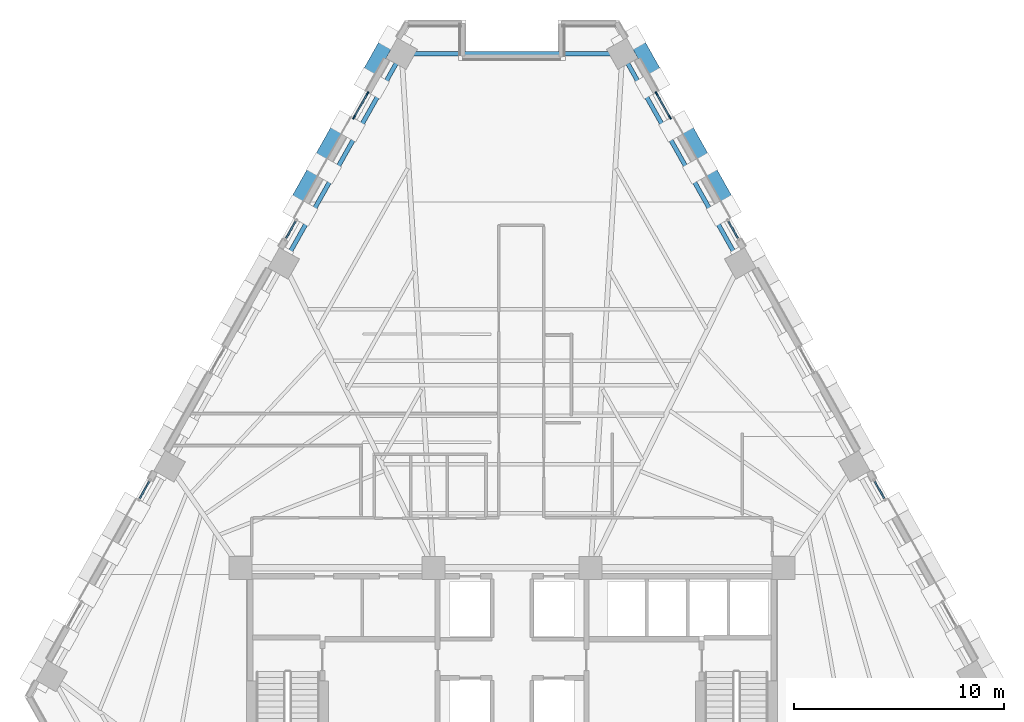
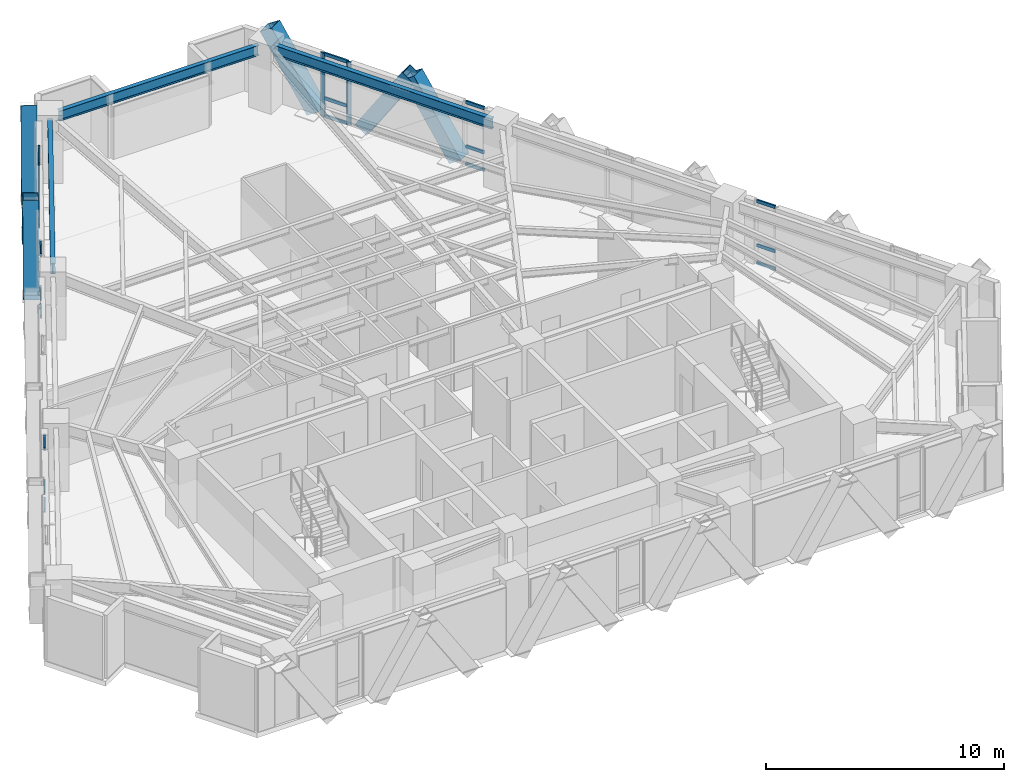
# One storey, part 5 of 13: 28 members, 3 beams, 6 elements without a shape of their own.
"""IFC4 building model written with IfcOpenShell, lengths in metres."""

import ifcopenshell
import ifcopenshell.guid

model = None  # the IFC model being written
_history = None  # IfcOwnerHistory: only IFC2X3 demands one
_inside = {}  # id of a spatial element -> (the spatial element, [elements in it])
_under = {}  # id of a project, library or spatial element -> (it, [spatial elements below it])
_declared = {}  # id of a project -> (the project, [libraries it declares])
_typed = {}  # id of a type object -> (the type object, [elements of that type])
_made_of = {}  # id of a material, layer set ... -> (it, [elements and type objects made of it])


def new_model(schema):
    """Start an empty IFC model of exactly this schema.

    Asked for "IFC4X3", IfcOpenShell would pick the latest addendum, in which some entities
    have other attributes; the version numbers below select the first issue.
    IFC2X3 requires an IfcOwnerHistory on every rooted entity: one is made here for all.
    """
    global model, _history
    if schema == "IFC4X3":
        model = ifcopenshell.file(schema_version=(4, 3, 0, 0))
    else:
        model = ifcopenshell.file(schema=schema)
    _inside.clear()
    _under.clear()
    _declared.clear()
    _typed.clear()
    _made_of.clear()
    _history = None
    if model.schema == "IFC2X3":
        org = make("IfcOrganization", Name="unknown")
        user = make(
            "IfcPersonAndOrganization",
            ThePerson=make("IfcPerson", FamilyName="unknown"),
            TheOrganization=org,
        )
        app = make(
            "IfcApplication",
            ApplicationDeveloper=org,
            Version="unknown",
            ApplicationFullName="unknown",
            ApplicationIdentifier="unknown",
        )
        _history = make(
            "IfcOwnerHistory",
            OwningUser=user,
            OwningApplication=app,
            ChangeAction="ADDED",
            CreationDate=0,
        )
    return model


def make(cls, **values):
    """One entity of the class cls with the attributes given. An attribute that is None is left unset."""
    return model.create_entity(
        cls, **{name: value for name, value in values.items() if value is not None}
    )


def rooted(cls, **values):
    """An entity with a GlobalId (a new one), such as an element, a storey or a relation."""
    return make(cls, GlobalId=ifcopenshell.guid.new(), OwnerHistory=_history, **values)


def si_unit(unit_type, name, prefix=None):
    """IfcSIUnit, for example si_unit("LENGTHUNIT", "METRE", prefix="MILLI")."""
    return make("IfcSIUnit", UnitType=unit_type, Prefix=prefix, Name=name)


def assignment(units):
    """IfcUnitAssignment: the units of a project."""
    return None if units is None else make("IfcUnitAssignment", Units=units)


def point(xyz):
    """IfcCartesianPoint."""
    return None if xyz is None else make("IfcCartesianPoint", Coordinates=xyz)


def direction(xyz):
    """IfcDirection."""
    return None if xyz is None else make("IfcDirection", DirectionRatios=xyz)


def frame(location, z_axis=None, x_axis=None):
    """IfcAxis2Placement3D, a coordinate frame: its origin and axes. An axis left out is left unset."""
    return make(
        "IfcAxis2Placement3D",
        Location=point(location),
        Axis=direction(z_axis),
        RefDirection=direction(x_axis),
    )


def frame_2d(location, x_axis=None):
    """IfcAxis2Placement2D, a coordinate frame in the plane: its origin and x axis."""
    return make(
        "IfcAxis2Placement2D", Location=point(location), RefDirection=direction(x_axis)
    )


def origin():
    """The frame at (0, 0, 0) with its axes left unset."""
    return frame((0.0, 0.0, 0.0))


def origin_2d():
    """The frame at (0, 0) in the plane with its x axis left unset."""
    return frame_2d((0.0, 0.0))


def place(relative_to, where):
    """IfcLocalPlacement: puts the frame where relative to a parent placement (None: the world)."""
    return make(
        "IfcLocalPlacement", PlacementRelTo=relative_to, RelativePlacement=where
    )


def context(
    kind, dimensions, precision=None, world=None, true_north=None, identifier=None
):
    """IfcGeometricRepresentationContext, for example the 3D "Model" context."""
    return make(
        "IfcGeometricRepresentationContext",
        ContextIdentifier=identifier,
        ContextType=kind,
        CoordinateSpaceDimension=dimensions,
        Precision=precision,
        WorldCoordinateSystem=world,
        TrueNorth=true_north,
    )


def subcontext(parent, identifier, kind, view, scale=None):
    """IfcGeometricRepresentationSubContext, for example "Body" below "Model"."""
    return make(
        "IfcGeometricRepresentationSubContext",
        ContextIdentifier=identifier,
        ContextType=kind,
        ParentContext=parent,
        TargetScale=scale,
        TargetView=view,
    )


def project(units=None, contexts=None):
    """IfcProject with its units and contexts."""
    return rooted(
        "IfcProject",
        Name="project",
        RepresentationContexts=contexts,
        UnitsInContext=assignment(units),
    )


def spatial(cls, under=None, at=None, **own):
    """A site, building, storey or space (cls), placed at a placement, below another one or the project."""
    s = rooted(cls, ObjectPlacement=at, **own)
    if under is not None:
        _under.setdefault(under.id(), (under, []))[1].append(s)
    return s


def profile(cls, at=None, kind="AREA", **sizes):
    """A parametric profile (cls). Its sizes go by their IFC names, for example OverallWidth=200.0."""
    return make(cls, ProfileType=kind, Position=at, **sizes)


def rectangle(**sizes):
    """IfcRectangleProfileDef."""
    return profile("IfcRectangleProfileDef", **sizes)


def hollow_rectangle(**sizes):
    """IfcRectangleHollowProfileDef."""
    return profile("IfcRectangleHollowProfileDef", **sizes)


def i_section(**sizes):
    """IfcIShapeProfileDef."""
    return profile("IfcIShapeProfileDef", **sizes)


def extrude(swept, where, along, depth):
    """IfcExtrudedAreaSolid: the profile swept, set in the frame where, extruded along a direction by depth."""
    return make(
        "IfcExtrudedAreaSolid",
        SweptArea=swept,
        Position=where,
        ExtrudedDirection=direction(along),
        Depth=depth,
    )


def shape(context_of_items, identifier, shape_type, items):
    """IfcShapeRepresentation: the items that make up one representation, for example the "Body"."""
    return make(
        "IfcShapeRepresentation",
        ContextOfItems=context_of_items,
        RepresentationIdentifier=identifier,
        RepresentationType=shape_type,
        Items=items,
    )


def material(Name=None, Category=None):
    """IfcMaterial."""
    return make("IfcMaterial", Name=Name, Category=Category)


def material_profile(
    of_material, cross_section, Name=None, Category=None, Priority=None
):
    """IfcMaterialProfile: a cross section and its material."""
    return make(
        "IfcMaterialProfile",
        Name=Name,
        Material=of_material,
        Profile=cross_section,
        Priority=Priority,
        Category=Category,
    )


def profile_set(profiles, Name=None, composite=None):
    """IfcMaterialProfileSet."""
    return make(
        "IfcMaterialProfileSet",
        Name=Name,
        MaterialProfiles=profiles,
        CompositeProfile=composite,
    )


def made_of(thing, what):
    """Note that an element or type object is made of a material, layer set ...; save() writes the relation."""
    if what is not None:
        _made_of.setdefault(what.id(), (what, []))[1].append(thing)
    return thing


def type_object(cls, material=None, **own):
    """A type object (cls), such as IfcWallType, which elements share."""
    return made_of(rooted(cls, **own), material)


def element(
    cls,
    number,
    at=None,
    inside=None,
    cuts=None,
    type_object=None,
    material=None,
    context=None,
    identifier="Body",
    shape_type=None,
    held_by="IfcProductDefinitionShape",
    body=None,
    shapes=None,
    **own,
):
    """One element of the class cls, such as IfcWall. Its Tag is "e" and its number.

    at: its placement. inside: the storey or other place that contains it. cuts: it is an
    opening in that element (IfcRelVoidsElement). A single representation is given by context,
    identifier, shape_type and body (its items); several are given by shapes. held_by: the class
    of the entity that holds the representations. save() writes the other relations.
    """
    e = rooted(cls, Tag="e%d" % number, ObjectPlacement=at, **own)
    if body is not None:
        shapes = [shape(context, identifier, shape_type, body)]
    if shapes is not None:
        e.Representation = make(held_by, Representations=shapes)
    if inside is not None:
        _inside.setdefault(inside.id(), (inside, []))[1].append(e)
    if cuts is not None:
        rooted(
            "IfcRelVoidsElement", RelatingBuildingElement=cuts, RelatedOpeningElement=e
        )
    if type_object is not None:
        _typed.setdefault(type_object.id(), (type_object, []))[1].append(e)
    return made_of(e, material)


def aggregate(whole, parts):
    """IfcRelAggregates: a whole, such as a stair, and the parts it consists of."""
    return rooted("IfcRelAggregates", RelatingObject=whole, RelatedObjects=parts)


def save(model, path):
    """Write the relations noted so far, then the file.

    IfcRelAggregates (storeys below a building ...), IfcRelContainedInSpatialStructure (elements
    in a storey), IfcRelDefinesByType, IfcRelAssociatesMaterial and IfcRelDeclares: one each for
    every whole, place, type object, material and project.
    """
    for whole, parts in _under.values():
        aggregate(whole, parts)
    for where, things in _inside.values():
        rooted(
            "IfcRelContainedInSpatialStructure",
            RelatedElements=things,
            RelatingStructure=where,
        )
    for kind, things in _typed.values():
        rooted("IfcRelDefinesByType", RelatedObjects=things, RelatingType=kind)
    for what, things in _made_of.values():
        rooted("IfcRelAssociatesMaterial", RelatedObjects=things, RelatingMaterial=what)
    for by, libraries in _declared.values():
        rooted("IfcRelDeclares", RelatingContext=by, RelatedDefinitions=libraries)
    model.write(path)


model = new_model("IFC4")

# Units and contexts
model_context = context("Model", 3, precision=1e-05, world=origin(), true_north=direction((0.0, 1.0)))
body_context = subcontext(model_context, "Body", "Model", "MODEL_VIEW")
ifc_project = project(units=[si_unit("LENGTHUNIT", "METRE"), si_unit("AREAUNIT", "SQUARE_METRE"), si_unit("VOLUMEUNIT", "CUBIC_METRE"), si_unit("PLANEANGLEUNIT", "RADIAN"), si_unit("MASSUNIT", "GRAM", prefix="KILO")], contexts=[model_context])

# Site, building, storey
site_placement = place(None, origin())
site = spatial("IfcSite", under=ifc_project, at=site_placement, CompositionType="ELEMENT")
building_placement = place(site_placement, origin())
building = spatial("IfcBuilding", under=site, at=building_placement, Name="Quenlor Broadcast Tower", CompositionType="ELEMENT")
storey_placement = place(building_placement, frame((0.0, 0.0, 105.5)))
storey = spatial("IfcBuildingStorey", under=building, at=storey_placement, Name="L28", CompositionType="ELEMENT", Elevation=105.5)

# Curtain wall, members
ifc_material_1 = material(Name="Architectural Terracotta and Low-E Glazing", Category="masonry")
curtain_wall_type = type_object("IfcCurtainWallType", Name="Unitised Terracotta Curtain Wall System Z2", PredefinedType="NOTDEFINED", material=ifc_material_1)
curtain_wall_1_placement = place(storey_placement, origin())
curtain_wall_1 = element("IfcCurtainWall", 1, at=curtain_wall_1_placement, inside=storey, type_object=curtain_wall_type, Name="L28 Curtain Wall CW2 (L28-NEA-G1)", PredefinedType="NOTDEFINED")
ifc_material_2 = material(Name="Aluminium 6063-T6", Category="aluminium")
ifc_material_profile_1 = material_profile(ifc_material_2, rectangle(XDim=0.074951171875, YDim=0.199951171875, at=origin_2d()))
ifc_profile_set_1 = profile_set([ifc_material_profile_1], Name="Aluminium 6063-T6 MULL75x200")
member_type_1 = type_object("IfcMemberType", Name="CW2 Aluminium Mullion MULL_CW2", PredefinedType="MULLION", material=ifc_profile_set_1)
member_1_placement = place(storey_placement, frame((6.893310546875, 17.81884765625, 0.0), z_axis=(0.0, 0.0, 1.0), x_axis=(0.871583366376, 0.490247320704, 0.0)))
member_1 = element("IfcMember", 2, at=member_1_placement, type_object=member_type_1, Name="CW2 mullion 1", PredefinedType="MULLION", context=body_context, shape_type="SweptSolid", body=[
    extrude(rectangle(XDim=0.074951171875, YDim=0.199951171875, at=origin_2d()), origin(), (0.0, 0.0, 1.0), 3.25),
])
member_2_placement = place(storey_placement, frame((7.525390625, 16.695068359375, 0.0), z_axis=(0.0, 0.0, 1.0), x_axis=(0.871583366376, 0.490247320704, 0.0)))
member_2 = element("IfcMember", 3, at=member_2_placement, type_object=member_type_1, Name="CW2 mullion 2", PredefinedType="MULLION", context=body_context, shape_type="SweptSolid", body=[
    extrude(rectangle(XDim=0.074951171875, YDim=0.199951171875, at=origin_2d()), origin(), (0.0, 0.0, 1.0), 3.25),
])

curtain_wall_2_placement = place(storey_placement, origin())
curtain_wall_2 = element("IfcCurtainWall", 4, at=curtain_wall_2_placement, inside=storey, type_object=curtain_wall_type, Name="L28 Curtain Wall CW2 (L28-NWC-G2)", PredefinedType="NOTDEFINED")
member_3_placement = place(storey_placement, frame((-7.525390625, 16.695068359375, 0.0), z_axis=(0.0, 0.0, 1.0), x_axis=(-0.871583366376, 0.490247320704, 0.0)))
member_3 = element("IfcMember", 5, at=member_3_placement, type_object=member_type_1, Name="CW2 mullion 1", PredefinedType="MULLION", context=body_context, shape_type="SweptSolid", body=[
    extrude(rectangle(XDim=0.074951171875, YDim=0.199951171875, at=origin_2d()), origin(), (0.0, 0.0, 1.0), 3.25),
])
member_4_placement = place(storey_placement, frame((-6.893310546875, 17.81884765625, 0.0), z_axis=(0.0, 0.0, 1.0), x_axis=(-0.871583366376, 0.490247320704, 0.0)))
member_4 = element("IfcMember", 6, at=member_4_placement, type_object=member_type_1, Name="CW2 mullion 2", PredefinedType="MULLION", context=body_context, shape_type="SweptSolid", body=[
    extrude(rectangle(XDim=0.074951171875, YDim=0.199951171875, at=origin_2d()), origin(), (0.0, 0.0, 1.0), 3.25),
])

# Member
ifc_material_3 = material(Name="Aluminium 6063-T6", Category="aluminium")
ifc_material_profile_2 = material_profile(ifc_material_3, rectangle(XDim=0.074951171875, YDim=0.1650390625, at=origin_2d()))
ifc_profile_set_2 = profile_set([ifc_material_profile_2], Name="Aluminium 6063-T6 TRAN75x165")
member_type_2 = type_object("IfcMemberType", Name="CW2 Aluminium Transom TRAN_CW2", PredefinedType="USERDEFINED", material=ifc_profile_set_2)
member_5_placement = place(storey_placement, frame((6.91162109375, 17.7861328125, 0.03759765625), z_axis=(0.490347143438, -0.871527210661, 0.0), x_axis=(0.871527210661, 0.490347143438, 0.0)))
member_5 = element("IfcMember", 7, at=member_5_placement, type_object=member_type_2, Name="CW2 transom 1.1", ObjectType="TRANSOM", PredefinedType="USERDEFINED", context=body_context, shape_type="SweptSolid", body=[
    extrude(rectangle(XDim=0.074951171875, YDim=0.1650390625, at=origin_2d()), origin(), (0.0, 0.0, 1.0), 1.21435546875),
])

member_6_placement = place(storey_placement, frame((6.91162109375, 17.7861328125, 0.949951171875), z_axis=(0.490347143438, -0.871527210661, 0.0), x_axis=(0.871527210661, 0.490347143438, 0.0)))
member_6 = element("IfcMember", 8, at=member_6_placement, type_object=member_type_2, Name="CW2 transom 1.2", ObjectType="TRANSOM", PredefinedType="USERDEFINED", context=body_context, shape_type="SweptSolid", body=[
    extrude(rectangle(XDim=0.074951171875, YDim=0.1650390625, at=origin_2d()), origin(), (0.0, 0.0, 1.0), 1.21435546875),
])

member_7_placement = place(storey_placement, frame((6.91162109375, 17.7861328125, 3.21240234375), z_axis=(0.490347143438, -0.871527210661, 0.0), x_axis=(0.871527210661, 0.490347143438, 0.0)))
member_7 = element("IfcMember", 9, at=member_7_placement, type_object=member_type_2, Name="CW2 transom 1.3", ObjectType="TRANSOM", PredefinedType="USERDEFINED", context=body_context, shape_type="SweptSolid", body=[
    extrude(rectangle(XDim=0.074951171875, YDim=0.1650390625, at=origin_2d()), origin(), (0.0, 0.0, 1.0), 1.21435546875),
])

aggregate(curtain_wall_1, [member_1, member_2, member_5, member_6, member_7])

# Curtain wall, members
curtain_wall_3_placement = place(storey_placement, origin())
curtain_wall_3 = element("IfcCurtainWall", 10, at=curtain_wall_3_placement, inside=storey, type_object=curtain_wall_type, Name="L28 Curtain Wall CW2 (L28-NEA-G2)", PredefinedType="NOTDEFINED")
member_8_placement = place(storey_placement, frame((10.32470703125, 11.718505859375, 0.03759765625), z_axis=(0.490363403455, -0.871518062092, 0.0), x_axis=(0.871518062092, 0.490363403455, 0.0)))
member_8 = element("IfcMember", 11, at=member_8_placement, type_object=member_type_2, Name="CW2 transom 1.1", ObjectType="TRANSOM", PredefinedType="USERDEFINED", context=body_context, shape_type="SweptSolid", body=[
    extrude(rectangle(XDim=0.074951171875, YDim=0.1650390625, at=origin_2d()), origin(), (0.0, 0.0, 1.0), 0.90771484375),
])
member_9_placement = place(storey_placement, frame((10.32470703125, 11.718505859375, 0.949951171875), z_axis=(0.490363403455, -0.871518062092, 0.0), x_axis=(0.871518062092, 0.490363403455, 0.0)))
member_9 = element("IfcMember", 12, at=member_9_placement, type_object=member_type_2, Name="CW2 transom 1.2", ObjectType="TRANSOM", PredefinedType="USERDEFINED", context=body_context, shape_type="SweptSolid", body=[
    extrude(rectangle(XDim=0.074951171875, YDim=0.1650390625, at=origin_2d()), origin(), (0.0, 0.0, 1.0), 0.90771484375),
])
member_10_placement = place(storey_placement, frame((10.32470703125, 11.718505859375, 3.21240234375), z_axis=(0.490363403455, -0.871518062092, 0.0), x_axis=(0.871518062092, 0.490363403455, 0.0)))
member_10 = element("IfcMember", 13, at=member_10_placement, type_object=member_type_2, Name="CW2 transom 1.3", ObjectType="TRANSOM", PredefinedType="USERDEFINED", context=body_context, shape_type="SweptSolid", body=[
    extrude(rectangle(XDim=0.074951171875, YDim=0.1650390625, at=origin_2d()), origin(), (0.0, 0.0, 1.0), 0.90771484375),
])
aggregate(curtain_wall_3, [member_8, member_9, member_10])

curtain_wall_4_placement = place(storey_placement, origin())
curtain_wall_4 = element("IfcCurtainWall", 14, at=curtain_wall_4_placement, inside=storey, type_object=curtain_wall_type, Name="L28 Curtain Wall CW2 (L28-NEC-G1)", PredefinedType="NOTDEFINED")
member_11_placement = place(storey_placement, frame((17.30126953125, -0.684326171875, 0.03759765625), z_axis=(0.490363403455, -0.871518062092, 0.0), x_axis=(0.871518062092, 0.490363403455, 0.0)))
member_11 = element("IfcMember", 15, at=member_11_placement, type_object=member_type_2, Name="CW2 transom 1.1", ObjectType="TRANSOM", PredefinedType="USERDEFINED", context=body_context, shape_type="SweptSolid", body=[
    extrude(rectangle(XDim=0.074951171875, YDim=0.1650390625, at=origin_2d()), origin(), (0.0, 0.0, 1.0), 0.90771484375),
])
member_12_placement = place(storey_placement, frame((17.30126953125, -0.684326171875, 0.949951171875), z_axis=(0.490363403455, -0.871518062092, 0.0), x_axis=(0.871518062092, 0.490363403455, 0.0)))
member_12 = element("IfcMember", 16, at=member_12_placement, type_object=member_type_2, Name="CW2 transom 1.2", ObjectType="TRANSOM", PredefinedType="USERDEFINED", context=body_context, shape_type="SweptSolid", body=[
    extrude(rectangle(XDim=0.074951171875, YDim=0.1650390625, at=origin_2d()), origin(), (0.0, 0.0, 1.0), 0.90771484375),
])
member_13_placement = place(storey_placement, frame((17.30126953125, -0.684326171875, 3.21240234375), z_axis=(0.490363403455, -0.871518062092, 0.0), x_axis=(0.871518062092, 0.490363403455, 0.0)))
member_13 = element("IfcMember", 17, at=member_13_placement, type_object=member_type_2, Name="CW2 transom 1.3", ObjectType="TRANSOM", PredefinedType="USERDEFINED", context=body_context, shape_type="SweptSolid", body=[
    extrude(rectangle(XDim=0.074951171875, YDim=0.1650390625, at=origin_2d()), origin(), (0.0, 0.0, 1.0), 0.90771484375),
])
aggregate(curtain_wall_4, [member_11, member_12, member_13])

curtain_wall_5_placement = place(storey_placement, origin())
curtain_wall_5 = element("IfcCurtainWall", 18, at=curtain_wall_5_placement, inside=storey, type_object=curtain_wall_type, Name="L28 Curtain Wall CW2 (L28-NWA-G2)", PredefinedType="NOTDEFINED")
member_14_placement = place(storey_placement, frame((-17.746337890625, -1.475341796875, 0.03759765625), z_axis=(0.490363403455, 0.871518062092, 0.0), x_axis=(-0.871518062092, 0.490363403455, 0.0)))
member_14 = element("IfcMember", 19, at=member_14_placement, type_object=member_type_2, Name="CW2 transom 1.1", ObjectType="TRANSOM", PredefinedType="USERDEFINED", context=body_context, shape_type="SweptSolid", body=[
    extrude(rectangle(XDim=0.074951171875, YDim=0.1650390625, at=origin_2d()), origin(), (0.0, 0.0, 1.0), 0.90771484375),
])
member_15_placement = place(storey_placement, frame((-17.746337890625, -1.475341796875, 0.949951171875), z_axis=(0.490363403455, 0.871518062092, 0.0), x_axis=(-0.871518062092, 0.490363403455, 0.0)))
member_15 = element("IfcMember", 20, at=member_15_placement, type_object=member_type_2, Name="CW2 transom 1.2", ObjectType="TRANSOM", PredefinedType="USERDEFINED", context=body_context, shape_type="SweptSolid", body=[
    extrude(rectangle(XDim=0.074951171875, YDim=0.1650390625, at=origin_2d()), origin(), (0.0, 0.0, 1.0), 0.90771484375),
])
member_16_placement = place(storey_placement, frame((-17.746337890625, -1.475341796875, 3.21240234375), z_axis=(0.490363403455, 0.871518062092, 0.0), x_axis=(-0.871518062092, 0.490363403455, 0.0)))
member_16 = element("IfcMember", 21, at=member_16_placement, type_object=member_type_2, Name="CW2 transom 1.3", ObjectType="TRANSOM", PredefinedType="USERDEFINED", context=body_context, shape_type="SweptSolid", body=[
    extrude(rectangle(XDim=0.074951171875, YDim=0.1650390625, at=origin_2d()), origin(), (0.0, 0.0, 1.0), 0.90771484375),
])
aggregate(curtain_wall_5, [member_14, member_15, member_16])

curtain_wall_6_placement = place(storey_placement, origin())
curtain_wall_6 = element("IfcCurtainWall", 22, at=curtain_wall_6_placement, inside=storey, type_object=curtain_wall_type, Name="L28 Curtain Wall CW2 (L28-NWC-G1)", PredefinedType="NOTDEFINED")
member_17_placement = place(storey_placement, frame((-10.769775390625, 10.927490234375, 0.03759765625), z_axis=(0.490363403455, 0.871518062092, 0.0), x_axis=(-0.871518062092, 0.490363403455, 0.0)))
member_17 = element("IfcMember", 23, at=member_17_placement, type_object=member_type_2, Name="CW2 transom 1.1", ObjectType="TRANSOM", PredefinedType="USERDEFINED", context=body_context, shape_type="SweptSolid", body=[
    extrude(rectangle(XDim=0.074951171875, YDim=0.1650390625, at=origin_2d()), origin(), (0.0, 0.0, 1.0), 0.90771484375),
])
member_18_placement = place(storey_placement, frame((-10.769775390625, 10.927490234375, 0.949951171875), z_axis=(0.490363403455, 0.871518062092, 0.0), x_axis=(-0.871518062092, 0.490363403455, 0.0)))
member_18 = element("IfcMember", 24, at=member_18_placement, type_object=member_type_2, Name="CW2 transom 1.2", ObjectType="TRANSOM", PredefinedType="USERDEFINED", context=body_context, shape_type="SweptSolid", body=[
    extrude(rectangle(XDim=0.074951171875, YDim=0.1650390625, at=origin_2d()), origin(), (0.0, 0.0, 1.0), 0.90771484375),
])
member_19_placement = place(storey_placement, frame((-10.769775390625, 10.927490234375, 3.21240234375), z_axis=(0.490363403455, 0.871518062092, 0.0), x_axis=(-0.871518062092, 0.490363403455, 0.0)))
member_19 = element("IfcMember", 25, at=member_19_placement, type_object=member_type_2, Name="CW2 transom 1.3", ObjectType="TRANSOM", PredefinedType="USERDEFINED", context=body_context, shape_type="SweptSolid", body=[
    extrude(rectangle(XDim=0.074951171875, YDim=0.1650390625, at=origin_2d()), origin(), (0.0, 0.0, 1.0), 0.90771484375),
])
aggregate(curtain_wall_6, [member_17, member_18, member_19])

# Member
member_20_placement = place(storey_placement, frame((-7.507080078125, 16.727783203125, 0.03759765625), z_axis=(0.490347143438, 0.871527210661, 0.0), x_axis=(-0.871527210661, 0.490347143438, 0.0)))
member_20 = element("IfcMember", 26, at=member_20_placement, type_object=member_type_2, Name="CW2 transom 1.1", ObjectType="TRANSOM", PredefinedType="USERDEFINED", context=body_context, shape_type="SweptSolid", body=[
    extrude(rectangle(XDim=0.074951171875, YDim=0.1650390625, at=origin_2d()), origin(), (0.0, 0.0, 1.0), 1.21435546875),
])

member_21_placement = place(storey_placement, frame((-7.507080078125, 16.727783203125, 0.949951171875), z_axis=(0.490347143438, 0.871527210661, 0.0), x_axis=(-0.871527210661, 0.490347143438, 0.0)))
member_21 = element("IfcMember", 27, at=member_21_placement, type_object=member_type_2, Name="CW2 transom 1.2", ObjectType="TRANSOM", PredefinedType="USERDEFINED", context=body_context, shape_type="SweptSolid", body=[
    extrude(rectangle(XDim=0.074951171875, YDim=0.1650390625, at=origin_2d()), origin(), (0.0, 0.0, 1.0), 1.21435546875),
])

member_22_placement = place(storey_placement, frame((-7.507080078125, 16.727783203125, 3.21240234375), z_axis=(0.490347143438, 0.871527210661, 0.0), x_axis=(-0.871527210661, 0.490347143438, 0.0)))
member_22 = element("IfcMember", 28, at=member_22_placement, type_object=member_type_2, Name="CW2 transom 1.3", ObjectType="TRANSOM", PredefinedType="USERDEFINED", context=body_context, shape_type="SweptSolid", body=[
    extrude(rectangle(XDim=0.074951171875, YDim=0.1650390625, at=origin_2d()), origin(), (0.0, 0.0, 1.0), 1.21435546875),
])

aggregate(curtain_wall_2, [member_3, member_4, member_20, member_21, member_22])

# Members
ifc_material_4 = material(Name="Steel S355", Category="steel")
ifc_material_profile_3 = material_profile(ifc_material_4, hollow_rectangle(XDim=0.679931640625, YDim=0.679931640625, WallThickness=0.030029296875, at=origin_2d()))
ifc_profile_set_3 = profile_set([ifc_material_profile_3], Name="Steel S355 RHS680x680x30")
member_type_3 = type_object("IfcMemberType", Name="Perimeter Diagonal Lattice Brace Z2 Steel S355 RHS680x30", PredefinedType="BRACE", material=ifc_profile_set_3)
for number, where, z_axis, x_axis, name in (
    (29, (8.12939453125, 16.42724609375, -0.1201171875), (0.268642373731, -0.477592925498, 0.83650240439), (0.871578380919, 0.490256183964, 0.0), "L28 Perimeter Diamond Lattice NE-C1S"),
    (30, (6.977783203125, 18.47412109375, -0.1201171875), (-0.26858823371, 0.477600411236, 0.836515515636), (-0.871623880158, -0.490175286544, 0.0), "L28 Perimeter Diamond Lattice NE-C1B"),
    (31, (10.39111328125, 12.406494140625, -0.1201171875), (-0.268642373731, 0.477592925498, 0.83650240439), (-0.871578380919, -0.490256183964, 0.0), "L28 Perimeter Diamond Lattice NE-C2B"),
    (32, (-10.39111328125, 12.406494140625, -0.1201171875), (0.268642373731, 0.477592925498, 0.83650240439), (-0.871578380919, 0.490256183964, 0.0), "L28 Perimeter Diamond Lattice NW-C4S"),
    (33, (-6.977783203125, 18.47412109375, -0.1201171875), (0.26858823371, 0.477600411236, 0.836515515636), (-0.871623880158, 0.490175286544, 0.0), "L28 Perimeter Diamond Lattice NW-C5S"),
    (34, (-8.12939453125, 16.42724609375, -0.1201171875), (-0.268642373731, -0.477592925498, 0.83650240439), (0.871578380919, -0.490256183964, 0.0), "L28 Perimeter Diamond Lattice NW-C5B"),
):
    element("IfcMember", number, at=place(storey_placement, frame(where, z_axis=z_axis, x_axis=x_axis)), inside=storey, type_object=member_type_3, Name=name, PredefinedType="BRACE", context=body_context, shape_type="SweptSolid", body=[
        extrude(hollow_rectangle(XDim=0.679931640625, YDim=0.679931640625, WallThickness=0.030029296875, at=origin_2d()), origin(), (0.0, 0.0, 1.0), 4.18408203125),
    ])

# Beams
ifc_material_5 = material(Name="Steel S355", Category="steel")
ifc_material_profile_4 = material_profile(ifc_material_5, i_section(OverallWidth=0.208984375, OverallDepth=0.5283203125, WebThickness=0.009521484375, FlangeThickness=0.01318359375, FilletRadius=0.013916015625, at=origin_2d()))
ifc_profile_set_4 = profile_set([ifc_material_profile_4], Name="Steel S355 530UB82.0")
beam_type = type_object("IfcBeamType", Name="Perimeter Spandrel Beam Z2 Steel S355 530UB82.0", PredefinedType="SPANDREL", material=ifc_profile_set_4)
beam_1_placement = place(storey_placement, frame((10.685791015625, 10.076904296875, 2.98583984375), z_axis=(-0.490236213386, 0.871589613916, 0.0), x_axis=(-0.871589613916, -0.490236213386, 0.0)))
element("IfcBeam", 35, at=beam_1_placement, inside=storey, type_object=beam_type, Name="L28 Spandrel Beam NE3-NE4", PredefinedType="SPANDREL", context=body_context, shape_type="SweptSolid", body=[
    extrude(i_section(OverallWidth=0.208984375, OverallDepth=0.5283203125, WebThickness=0.009521484375, FlangeThickness=0.01318359375, FilletRadius=0.013916015625, at=origin_2d()), origin(), (0.0, 0.0, 1.0), 10.65283203125),
])
beam_2_placement = place(storey_placement, frame((4.852294921875, 19.718994140625, 2.98583984375), z_axis=(-1.0, 0.0, 0.0), x_axis=(0.0, -1.0, 0.0)))
element("IfcBeam", 36, at=beam_2_placement, inside=storey, type_object=beam_type, Name="L28 Spandrel Beam NE4-NW1", PredefinedType="SPANDREL", context=body_context, shape_type="SweptSolid", body=[
    extrude(i_section(OverallWidth=0.208984375, OverallDepth=0.5283203125, WebThickness=0.009521484375, FlangeThickness=0.01318359375, FilletRadius=0.013916015625, at=origin_2d()), origin(), (0.0, 0.0, 1.0), 9.70458984375),
])
beam_3_placement = place(storey_placement, frame((-5.46337890625, 19.36181640625, 2.98583984375), z_axis=(-0.490236213386, -0.871589613916, 0.0), x_axis=(0.871589613916, -0.490236213386, 0.0)))
element("IfcBeam", 37, at=beam_3_placement, inside=storey, type_object=beam_type, Name="L28 Spandrel Beam NW1-NW2", PredefinedType="SPANDREL", context=body_context, shape_type="SweptSolid", body=[
    extrude(i_section(OverallWidth=0.208984375, OverallDepth=0.5283203125, WebThickness=0.009521484375, FlangeThickness=0.01318359375, FilletRadius=0.013916015625, at=origin_2d()), origin(), (0.0, 0.0, 1.0), 10.65283203125),
])

save(model, "model.ifc")
